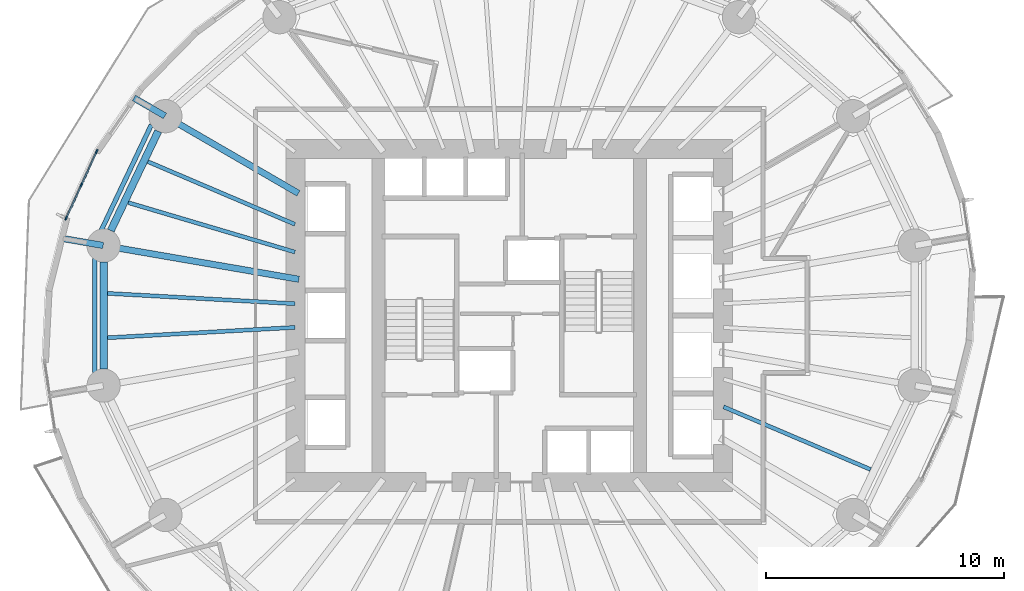
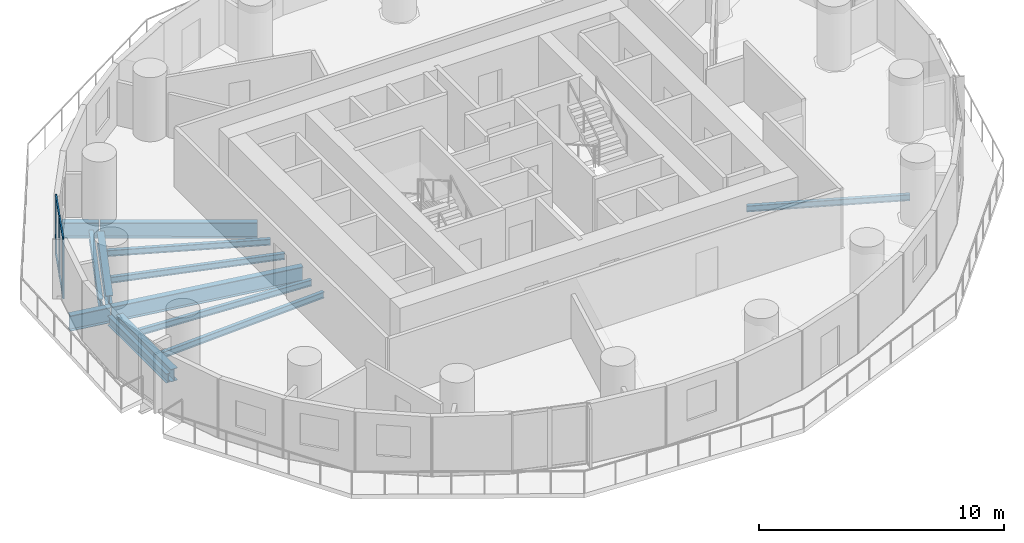
# One storey, part 3 of 13: 13 beams, 7 members, 1 element without a shape of its own.
"""IFC4 building model written with IfcOpenShell, lengths in metres."""

from ifc_helpers import new_model, si_unit, direction, frame, origin, origin_2d, place, context, subcontext, project, spatial, rectangle, i_section, extrude, material, material_profile, profile_set, type_object, element, aggregate, save


model = new_model("IFC4")

# Units and contexts
model_context = context("Model", 3, precision=1e-05, world=origin(), true_north=direction((0.0, 1.0)))
body_context = subcontext(model_context, "Body", "Model", "MODEL_VIEW")
ifc_project = project(units=[si_unit("LENGTHUNIT", "METRE"), si_unit("AREAUNIT", "SQUARE_METRE"), si_unit("VOLUMEUNIT", "CUBIC_METRE"), si_unit("PLANEANGLEUNIT", "RADIAN"), si_unit("MASSUNIT", "GRAM", prefix="KILO")], contexts=[model_context])

# Site, building, storey
site_placement = place(None, origin())
site = spatial("IfcSite", under=ifc_project, at=site_placement, CompositionType="ELEMENT")
building_placement = place(site_placement, origin())
building = spatial("IfcBuilding", under=site, at=building_placement, Name="Veldorim Arch Residences", CompositionType="ELEMENT")
storey_placement = place(building_placement, frame((0.0, 0.0, 60.0)))
storey = spatial("IfcBuildingStorey", under=building, at=storey_placement, Name="L17", CompositionType="ELEMENT", Elevation=60.0)

# Beams
ifc_material_1 = material(Name="Steel S355", Category="steel")
ifc_material_profile_1 = material_profile(ifc_material_1, i_section(OverallWidth=0.30712890625, OverallDepth=0.6201171875, WebThickness=0.01416015625, FlangeThickness=0.023681640625, at=origin_2d()), Name="UB610x305x179")
ifc_profile_set_1 = profile_set([ifc_material_profile_1], Name="Steel S355")
beam_type_1 = type_object("IfcBeamType", Name="Structural Steel Beam UB610x305x179", PredefinedType="BEAM", material=ifc_profile_set_1)
beam_1_placement = place(storey_placement, frame((17.23095703125, 31.75732421875, -0.550048828125), z_axis=(-0.430776422552, -0.902458682585, 0.0), x_axis=(0.902458682585, -0.430776422552, 0.0)))
element("IfcBeam", 1, at=beam_1_placement, inside=storey, type_object=beam_type_1, Name="L17 perimeter ring tie beam 07", PredefinedType="BEAM", context=body_context, shape_type="SweptSolid", body=[
    extrude(i_section(OverallWidth=0.30712890625, OverallDepth=0.6201171875, WebThickness=0.01416015625, FlangeThickness=0.023681640625, at=origin_2d()), origin(), (0.0, 0.0, 1.0), 4.63134765625),
])
beam_2_placement = place(storey_placement, frame((14.934326171875, 26.245849609375, -0.550048828125), z_axis=(0.0, -1.0, 0.0), x_axis=(1.0, 0.0, 0.0)))
element("IfcBeam", 2, at=beam_2_placement, inside=storey, type_object=beam_type_1, Name="L17 perimeter ring tie beam 08", PredefinedType="BEAM", context=body_context, shape_type="SweptSolid", body=[
    extrude(i_section(OverallWidth=0.30712890625, OverallDepth=0.6201171875, WebThickness=0.01416015625, FlangeThickness=0.023681640625, at=origin_2d()), origin(), (0.0, 0.0, 1.0), 4.49169921875),
])
ifc_material_2 = material(Name="Steel S355", Category="steel")
ifc_material_profile_2 = material_profile(ifc_material_2, i_section(OverallWidth=0.26806640625, OverallDepth=0.769775390625, WebThickness=0.015625, FlangeThickness=0.025390625, at=origin_2d()), Name="UB762x267x197")
ifc_profile_set_2 = profile_set([ifc_material_profile_2], Name="Steel S355")
beam_type_2 = type_object("IfcBeamType", Name="Structural Steel GIRDER UB762x267x197", PredefinedType="USERDEFINED", material=ifc_profile_set_2)
beam_3_placement = place(storey_placement, frame((23.1298828125, 29.1435546875, -0.625), z_axis=(-0.865088348752, 0.501619525989, 0.0), x_axis=(-0.501619525989, -0.865088348752, 0.0)))
element("IfcBeam", 3, at=beam_3_placement, inside=storey, type_object=beam_type_2, Name="L17 radial floor girder 07", ObjectType="GIRDER", PredefinedType="USERDEFINED", context=body_context, shape_type="SweptSolid", body=[
    extrude(i_section(OverallWidth=0.26806640625, OverallDepth=0.769775390625, WebThickness=0.015625, FlangeThickness=0.025390625, at=origin_2d()), origin(), (0.0, 0.0, 1.0), 6.4501953125),
])
beam_4_placement = place(storey_placement, frame((17.51513671875, 32.399169921875, -0.625), z_axis=(-0.865060666907, 0.501667262805, 0.0), x_axis=(-0.501667262805, -0.865060666907, 0.0)))
element("IfcBeam", 4, at=beam_4_placement, inside=storey, type_object=beam_type_2, Name="L17 radial edge cantilever girder 07", ObjectType="GIRDER", PredefinedType="USERDEFINED", context=body_context, shape_type="SweptSolid", body=[
    extrude(i_section(OverallWidth=0.26806640625, OverallDepth=0.769775390625, WebThickness=0.015625, FlangeThickness=0.025390625, at=origin_2d()), origin(), (0.0, 0.0, 1.0), 1.509521484375),
])
beam_5_placement = place(storey_placement, frame((23.147705078125, 25.528076171875, -0.625), z_axis=(-0.985427548249, 0.170095699979, 0.0), x_axis=(-0.170095699979, -0.985427548249, 0.0)))
element("IfcBeam", 5, at=beam_5_placement, inside=storey, type_object=beam_type_2, Name="L17 radial floor girder 08", ObjectType="GIRDER", PredefinedType="USERDEFINED", context=body_context, shape_type="SweptSolid", body=[
    extrude(i_section(OverallWidth=0.26806640625, OverallDepth=0.769775390625, WebThickness=0.015625, FlangeThickness=0.025390625, at=origin_2d()), origin(), (0.0, 0.0, 1.0), 8.314697265625),
])
beam_6_placement = place(storey_placement, frame((14.91455078125, 26.94921875, -0.625), z_axis=(-0.985421461272, 0.170130960336, 0.0), x_axis=(-0.170130960336, -0.985421461272, 0.0)))
element("IfcBeam", 6, at=beam_6_placement, inside=storey, type_object=beam_type_2, Name="L17 radial edge cantilever girder 08", ObjectType="GIRDER", PredefinedType="USERDEFINED", context=body_context, shape_type="SweptSolid", body=[
    extrude(i_section(OverallWidth=0.26806640625, OverallDepth=0.769775390625, WebThickness=0.015625, FlangeThickness=0.025390625, at=origin_2d()), origin(), (0.0, 0.0, 1.0), 1.7880859375),
])
ifc_material_3 = material(Name="Steel S355", Category="steel")
ifc_material_profile_3 = material_profile(ifc_material_3, i_section(OverallWidth=0.165771484375, OverallDepth=0.306640625, WebThickness=0.006591796875, FlangeThickness=0.01171875, at=origin_2d()), Name="UB305x165x46")
ifc_profile_set_3 = profile_set([ifc_material_profile_3], Name="Steel S355")
beam_type_3 = type_object("IfcBeamType", Name="Structural Steel Joist UB305x165x46", PredefinedType="JOIST", material=ifc_profile_set_3)
beam_7_placement = place(storey_placement, frame((22.981689453125, 27.84130859375, -0.393310546875), z_axis=(-0.920032948668, 0.391841005213, 0.0), x_axis=(-0.391841005213, -0.920032948668, 0.0)))
element("IfcBeam", 7, at=beam_7_placement, inside=storey, type_object=beam_type_3, Name="L17 secondary radial floor joist 07-1", PredefinedType="JOIST", context=body_context, shape_type="SweptSolid", body=[
    extrude(i_section(OverallWidth=0.165771484375, OverallDepth=0.306640625, WebThickness=0.006591796875, FlangeThickness=0.01171875, at=origin_2d()), origin(), (0.0, 0.0, 1.0), 6.723388671875),
])
beam_8_placement = place(storey_placement, frame((22.980712890625, 26.67333984375, -0.393310546875), z_axis=(-0.958766778771, 0.284194060325, 0.0), x_axis=(-0.284194060325, -0.958766778771, 0.0)))
element("IfcBeam", 8, at=beam_8_placement, inside=storey, type_object=beam_type_3, Name="L17 secondary radial floor joist 07-2", PredefinedType="JOIST", context=body_context, shape_type="SweptSolid", body=[
    extrude(i_section(OverallWidth=0.165771484375, OverallDepth=0.306640625, WebThickness=0.006591796875, FlangeThickness=0.01171875, at=origin_2d()), origin(), (0.0, 0.0, 1.0), 7.3115234375),
])
for number, where, z_axis, x_axis, name in (
    (9, (22.97998046875, 24.498291015625, -0.393310546875), (-0.998478371109, 0.055144740699, 0.0), (-0.055144740699, -0.998478371109, 0.0), "L17 secondary radial floor joist 08-1"),
    (10, (22.97998046875, 23.501708984375, -0.393310546875), (-0.998478371109, -0.055144740699, 0.0), (0.055144740699, -0.998478371109, 0.0), "L17 secondary radial floor joist 08-2"),
):
    element("IfcBeam", number, at=place(storey_placement, frame(where, z_axis=z_axis, x_axis=x_axis)), inside=storey, type_object=beam_type_3, Name=name, PredefinedType="JOIST", context=body_context, shape_type="SweptSolid", body=[
        extrude(i_section(OverallWidth=0.165771484375, OverallDepth=0.306640625, WebThickness=0.006591796875, FlangeThickness=0.01171875, at=origin_2d()), origin(), (0.0, 0.0, 1.0), 7.898193359375),
    ])
beam_9_placement = place(storey_placement, frame((41.018310546875, 20.15869140625, -0.393310546875), z_axis=(0.920032948668, -0.391841005213, 0.0), x_axis=(0.391841005213, 0.920032948668, 0.0)))
element("IfcBeam", 11, at=beam_9_placement, inside=storey, type_object=beam_type_3, Name="L17 secondary radial floor joist 15-1", PredefinedType="JOIST", context=body_context, shape_type="SweptSolid", body=[
    extrude(i_section(OverallWidth=0.165771484375, OverallDepth=0.306640625, WebThickness=0.006591796875, FlangeThickness=0.01171875, at=origin_2d()), origin(), (0.0, 0.0, 1.0), 6.723388671875),
])
ifc_material_4 = material(Name="Steel S355", Category="steel")
ifc_material_profile_4 = material_profile(ifc_material_4, i_section(OverallWidth=0.19140625, OverallDepth=0.4599609375, WebThickness=0.010009765625, FlangeThickness=0.01611328125, at=origin_2d()), Name="UB457x191x82")
ifc_profile_set_4 = profile_set([ifc_material_profile_4], Name="Steel S355")
beam_type_4 = type_object("IfcBeamType", Name="Structural Steel Spandrel UB457x191x82", PredefinedType="SPANDREL", material=ifc_profile_set_4)
beam_10_placement = place(storey_placement, frame((16.939453125, 32.023193359375, -0.489990234375), z_axis=(-0.428847831425, -0.903376741721, 0.0), x_axis=(0.903376741721, -0.428847831425, 0.0)))
element("IfcBeam", 12, at=beam_10_placement, inside=storey, type_object=beam_type_4, Name="L17 perimeter chord spandrel beam 07", PredefinedType="SPANDREL", context=body_context, shape_type="SweptSolid", body=[
    extrude(i_section(OverallWidth=0.19140625, OverallDepth=0.4599609375, WebThickness=0.010009765625, FlangeThickness=0.01611328125, at=origin_2d()), origin(), (0.0, 0.0, 1.0), 4.932861328125),
])
beam_11_placement = place(storey_placement, frame((14.559814453125, 26.39453125, -0.489990234375), z_axis=(0.0, -1.0, 0.0), x_axis=(1.0, 0.0, 0.0)))
element("IfcBeam", 13, at=beam_11_placement, inside=storey, type_object=beam_type_4, Name="L17 perimeter chord spandrel beam 08", PredefinedType="SPANDREL", context=body_context, shape_type="SweptSolid", body=[
    extrude(i_section(OverallWidth=0.19140625, OverallDepth=0.4599609375, WebThickness=0.010009765625, FlangeThickness=0.01611328125, at=origin_2d()), origin(), (0.0, 0.0, 1.0), 4.7890625),
])

# Curtain wall, members
ifc_material_5 = material(Name="Aluminium", Category="aluminium")
curtain_wall_type = type_object("IfcCurtainWallType", Name="Zone 1 Acoustic Low-E Unitised Curtain Wall", PredefinedType="NOTDEFINED", material=ifc_material_5)
curtain_wall_placement = place(storey_placement, origin())
curtain_wall = element("IfcCurtainWall", 14, at=curtain_wall_placement, inside=storey, type_object=curtain_wall_type, Name="L17 unitised curtain wall bay 15", PredefinedType="NOTDEFINED")
ifc_material_6 = material(Name="Aluminium", Category="aluminium")
ifc_material_profile_5 = material_profile(ifc_material_6, rectangle(XDim=0.06494140625, YDim=0.175048828125, at=origin_2d()), Name="ALU_MUL_65x175")
ifc_profile_set_5 = profile_set([ifc_material_profile_5], Name="Aluminium")
member_type_1 = type_object("IfcMemberType", Name="Zone 1 Acoustic Low-E Unitised Curtain Wall Mullion 65x175", PredefinedType="MULLION", material=ifc_profile_set_5)
member_1_placement = place(storey_placement, frame((13.3564453125, 28.0966796875, 0.0), z_axis=(0.0, 0.0, 1.0), x_axis=(-0.909302816235, 0.416135060272, 0.0)))
member_1 = element("IfcMember", 15, at=member_1_placement, type_object=member_type_1, Name="CW-Z1 mullion 1", PredefinedType="MULLION", context=body_context, shape_type="SweptSolid", body=[
    extrude(rectangle(XDim=0.06494140625, YDim=0.175048828125, at=origin_2d()), origin(), (0.0, 0.0, 1.0), 2.9599609375),
])
member_2_placement = place(storey_placement, frame((13.999267578125, 29.50146484375, 0.0), z_axis=(0.0, 0.0, 1.0), x_axis=(-0.909302816235, 0.416135060272, 0.0)))
member_2 = element("IfcMember", 16, at=member_2_placement, type_object=member_type_1, Name="CW-Z1 mullion 2", PredefinedType="MULLION", context=body_context, shape_type="SweptSolid", body=[
    extrude(rectangle(XDim=0.06494140625, YDim=0.175048828125, at=origin_2d()), origin(), (0.0, 0.0, 1.0), 2.9599609375),
])
member_3_placement = place(storey_placement, frame((14.64208984375, 30.906005859375, 0.0), z_axis=(0.0, 0.0, 1.0), x_axis=(-0.909302816235, 0.416135060272, 0.0)))
member_3 = element("IfcMember", 17, at=member_3_placement, type_object=member_type_1, Name="CW-Z1 mullion 3", PredefinedType="MULLION", context=body_context, shape_type="SweptSolid", body=[
    extrude(rectangle(XDim=0.06494140625, YDim=0.175048828125, at=origin_2d()), origin(), (0.0, 0.0, 1.0), 2.9599609375),
])
ifc_material_7 = material(Name="Aluminium", Category="aluminium")
ifc_material_profile_6 = material_profile(ifc_material_7, rectangle(XDim=0.06494140625, YDim=0.14990234375, at=origin_2d()), Name="ALU_TRN_65x150")
ifc_profile_set_6 = profile_set([ifc_material_profile_6], Name="Aluminium")
member_type_2 = type_object("IfcMemberType", Name="Zone 1 Acoustic Low-E Unitised Curtain Wall Transom 65x150", PredefinedType="USERDEFINED", material=ifc_profile_set_6)
member_4_placement = place(storey_placement, frame((13.3701171875, 28.126220703125, 0.032470703125), z_axis=(0.416063841269, 0.909335405661, 0.0), x_axis=(-0.909335405661, 0.416063841269, 0.0)))
member_4 = element("IfcMember", 18, at=member_4_placement, type_object=member_type_2, Name="CW-Z1 transom 1.1", ObjectType="TRANSOM", PredefinedType="USERDEFINED", context=body_context, shape_type="SweptSolid", body=[
    extrude(rectangle(XDim=0.06494140625, YDim=0.14990234375, at=origin_2d()), origin(), (0.0, 0.0, 1.0), 1.47998046875),
])
member_5_placement = place(storey_placement, frame((13.3701171875, 28.126220703125, 2.927490234375), z_axis=(0.416063841269, 0.909335405661, 0.0), x_axis=(-0.909335405661, 0.416063841269, 0.0)))
member_5 = element("IfcMember", 19, at=member_5_placement, type_object=member_type_2, Name="CW-Z1 transom 1.2", ObjectType="TRANSOM", PredefinedType="USERDEFINED", context=body_context, shape_type="SweptSolid", body=[
    extrude(rectangle(XDim=0.06494140625, YDim=0.14990234375, at=origin_2d()), origin(), (0.0, 0.0, 1.0), 1.47998046875),
])
member_6_placement = place(storey_placement, frame((14.012939453125, 29.531005859375, 0.032470703125), z_axis=(0.41612626609, 0.909306840769, 0.0), x_axis=(-0.909306840769, 0.41612626609, 0.0)))
member_6 = element("IfcMember", 20, at=member_6_placement, type_object=member_type_2, Name="CW-Z1 transom 2.1", ObjectType="TRANSOM", PredefinedType="USERDEFINED", context=body_context, shape_type="SweptSolid", body=[
    extrude(rectangle(XDim=0.06494140625, YDim=0.14990234375, at=origin_2d()), origin(), (0.0, 0.0, 1.0), 1.479736328125),
])
member_7_placement = place(storey_placement, frame((14.012939453125, 29.531005859375, 2.927490234375), z_axis=(0.41612626609, 0.909306840769, 0.0), x_axis=(-0.909306840769, 0.41612626609, 0.0)))
member_7 = element("IfcMember", 21, at=member_7_placement, type_object=member_type_2, Name="CW-Z1 transom 2.2", ObjectType="TRANSOM", PredefinedType="USERDEFINED", context=body_context, shape_type="SweptSolid", body=[
    extrude(rectangle(XDim=0.06494140625, YDim=0.14990234375, at=origin_2d()), origin(), (0.0, 0.0, 1.0), 1.479736328125),
])
aggregate(curtain_wall, [member_1, member_2, member_3, member_4, member_5, member_6, member_7])

save(model, "model.ifc")
